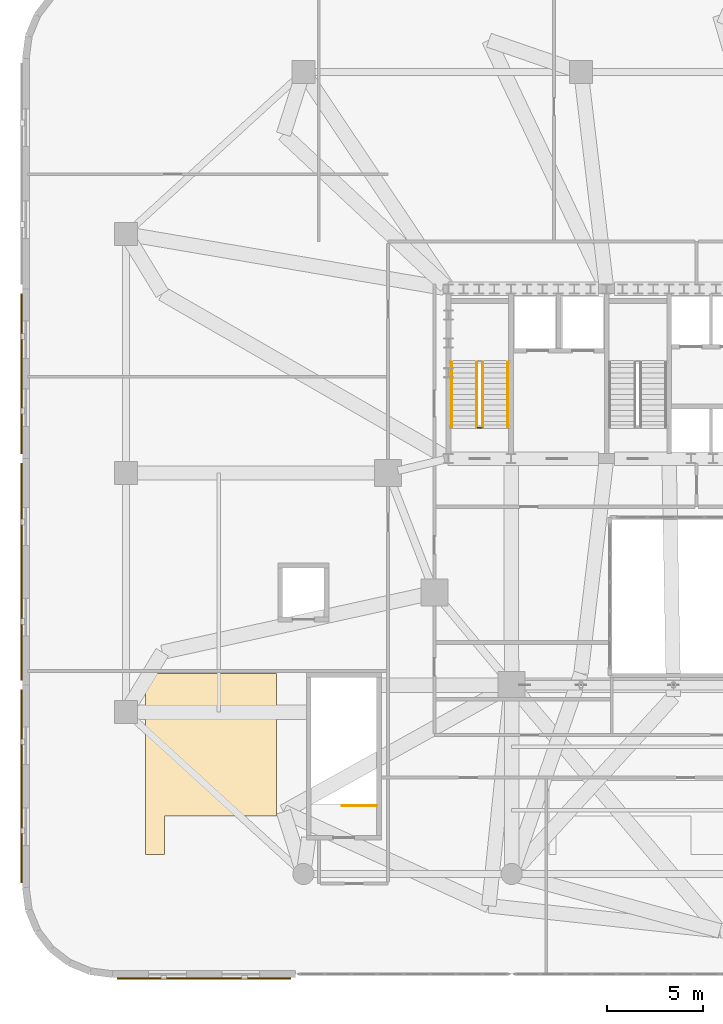
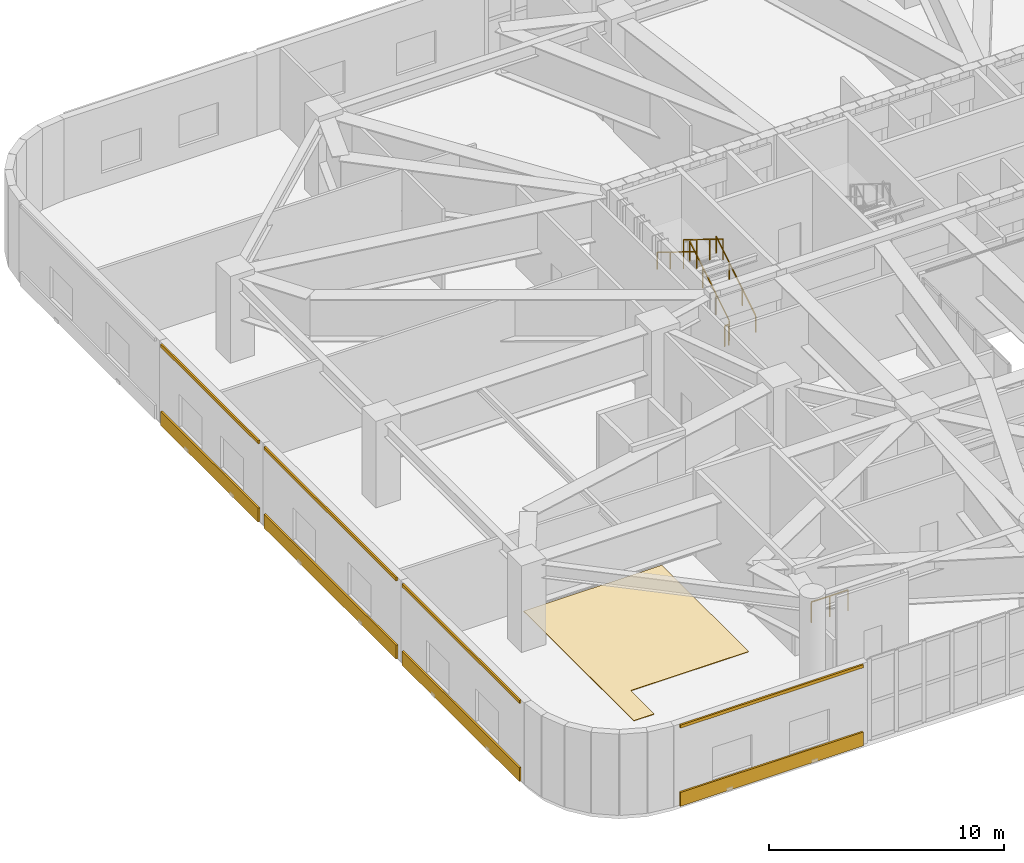
# One storey, part 20 of 26: 9 coverings, 6 railings.
"""IFC4 building model written with IfcOpenShell, lengths in metres."""

from ifc_helpers import new_model, si_unit, direction, frame, origin, origin_2d, place, context, subcontext, project, spatial, polyline, rectangle, outline, extrude, material, layer, layer_set, type_object, element, save


model = new_model("IFC4")

# Units and contexts
model_context = context("Model", 3, precision=1e-05, world=origin(), true_north=direction((0.0, 1.0)))
body_context = subcontext(model_context, "Body", "Model", "MODEL_VIEW")
ifc_project = project(units=[si_unit("LENGTHUNIT", "METRE"), si_unit("AREAUNIT", "SQUARE_METRE"), si_unit("VOLUMEUNIT", "CUBIC_METRE"), si_unit("PLANEANGLEUNIT", "RADIAN"), si_unit("MASSUNIT", "GRAM", prefix="KILO")], contexts=[model_context])

# Site, building, storey
site_placement = place(None, origin())
site = spatial("IfcSite", under=ifc_project, at=site_placement, CompositionType="ELEMENT")
building_placement = place(site_placement, origin())
building = spatial("IfcBuilding", under=site, at=building_placement, Name="Haldorwick Loom Tower", CompositionType="ELEMENT")
storey_placement = place(building_placement, frame((0.0, 0.0, 19.5)))
storey = spatial("IfcBuildingStorey", under=building, at=storey_placement, Name="L04", CompositionType="ELEMENT", Elevation=19.5)

# Coverings
ifc_material_1 = material(Name="Corbelled Pressed Clay Face Brick Veneer", Category="masonry")
ifc_layer_1 = layer(ifc_material_1, 0.090087890625, Name="Corbelled Pressed Clay Face Brick Veneer", Category="masonry")
ifc_layer_set_1 = layer_set([ifc_layer_1], Name="Corbelled Pressed Clay Face Brick Veneer")
covering_type_1 = type_object("IfcCoveringType", Name="ARC-COV-BRICK090", PredefinedType="CLADDING", material=ifc_layer_set_1)
covering_1_placement = place(storey_placement, origin())
element("IfcCovering", 1, at=covering_1_placement, inside=storey, type_object=covering_type_1, Name="L04 Sill Face-Brick Spandrel 29", PredefinedType="CLADDING", context=body_context, shape_type="SweptSolid", body=[
    extrude(outline(polyline([(-0.27001953125, 35.300048828125), (-0.27001953125, 27.0), (-0.179931640625, 27.0), (-0.179931640625, 35.300048828125), (-0.27001953125, 35.300048828125)])), origin(), (0.0, 0.0, 1.0), 0.719970703125),
])
covering_2_placement = place(storey_placement, frame((0.0, 0.0, 4.06005859375)))
element("IfcCovering", 2, at=covering_2_placement, inside=storey, type_object=covering_type_1, Name="L04 Head Face-Brick Lintel Band 29", PredefinedType="CLADDING", context=body_context, shape_type="SweptSolid", body=[
    extrude(outline(polyline([(-0.27001953125, 35.300048828125), (-0.27001953125, 27.0), (-0.179931640625, 27.0), (-0.179931640625, 35.300048828125), (-0.27001953125, 35.300048828125)])), origin(), (0.0, 0.0, 1.0), 0.159912109375),
])
covering_3_placement = place(storey_placement, origin())
element("IfcCovering", 3, at=covering_3_placement, inside=storey, type_object=covering_type_1, Name="L04 Sill Face-Brick Spandrel 30", PredefinedType="CLADDING", context=body_context, shape_type="SweptSolid", body=[
    extrude(outline(polyline([(-0.27001953125, 26.5), (-0.27001953125, 15.25), (-0.179931640625, 15.25), (-0.179931640625, 26.5), (-0.27001953125, 26.5)])), origin(), (0.0, 0.0, 1.0), 0.719970703125),
])
covering_4_placement = place(storey_placement, frame((0.0, 0.0, 4.06005859375)))
element("IfcCovering", 4, at=covering_4_placement, inside=storey, type_object=covering_type_1, Name="L04 Head Face-Brick Lintel Band 30", PredefinedType="CLADDING", context=body_context, shape_type="SweptSolid", body=[
    extrude(outline(polyline([(-0.27001953125, 26.5), (-0.27001953125, 15.25), (-0.179931640625, 15.25), (-0.179931640625, 26.5), (-0.27001953125, 26.5)])), origin(), (0.0, 0.0, 1.0), 0.159912109375),
])
covering_5_placement = place(storey_placement, origin())
element("IfcCovering", 5, at=covering_5_placement, inside=storey, type_object=covering_type_1, Name="L04 Sill Face-Brick Spandrel 31", PredefinedType="CLADDING", context=body_context, shape_type="SweptSolid", body=[
    extrude(outline(polyline([(-0.27001953125, 14.75), (-0.27001953125, 4.75), (-0.179931640625, 4.75), (-0.179931640625, 14.75), (-0.27001953125, 14.75)])), origin(), (0.0, 0.0, 1.0), 0.719970703125),
])
covering_6_placement = place(storey_placement, frame((0.0, 0.0, 4.06005859375)))
element("IfcCovering", 6, at=covering_6_placement, inside=storey, type_object=covering_type_1, Name="L04 Head Face-Brick Lintel Band 31", PredefinedType="CLADDING", context=body_context, shape_type="SweptSolid", body=[
    extrude(outline(polyline([(-0.27001953125, 14.75), (-0.27001953125, 4.75), (-0.179931640625, 4.75), (-0.179931640625, 14.75), (-0.27001953125, 14.75)])), origin(), (0.0, 0.0, 1.0), 0.159912109375),
])
covering_7_placement = place(storey_placement, origin())
element("IfcCovering", 7, at=covering_7_placement, inside=storey, type_object=covering_type_1, Name="L04 Sill Face-Brick Spandrel 38", PredefinedType="CLADDING", context=body_context, shape_type="SweptSolid", body=[
    extrude(outline(polyline([(4.75, -0.27001953125), (13.75, -0.27001953125), (13.75, -0.179931640625), (4.75, -0.179931640625), (4.75, -0.27001953125)])), origin(), (0.0, 0.0, 1.0), 0.719970703125),
])
covering_8_placement = place(storey_placement, frame((0.0, 0.0, 4.06005859375)))
element("IfcCovering", 8, at=covering_8_placement, inside=storey, type_object=covering_type_1, Name="L04 Head Face-Brick Lintel Band 38", PredefinedType="CLADDING", context=body_context, shape_type="SweptSolid", body=[
    extrude(outline(polyline([(4.75, -0.27001953125), (13.75, -0.27001953125), (13.75, -0.179931640625), (4.75, -0.179931640625), (4.75, -0.27001953125)])), origin(), (0.0, 0.0, 1.0), 0.159912109375),
])
ifc_material_2 = material(Name="Polished Aggregate Terrazzo Finish")
ifc_layer_2 = layer(ifc_material_2, 0.030029296875, Name="Polished Aggregate Terrazzo Finish")
ifc_layer_set_2 = layer_set([ifc_layer_2], Name="Polished Aggregate Terrazzo Finish")
covering_type_2 = type_object("IfcCoveringType", Name="ARC-COV-FLOOR", PredefinedType="FLOORING", material=ifc_layer_set_2)
covering_9_placement = place(storey_placement, origin())
element("IfcCovering", 9, at=covering_9_placement, inside=storey, type_object=covering_type_2, Name="L04 Floor Finish 2", PredefinedType="FLOORING", context=body_context, shape_type="SweptSolid", body=[
    extrude(outline(polyline([(6.199951171875, 15.594970703125), (6.199951171875, 6.199951171875), (7.199951171875, 6.199951171875), (7.199951171875, 8.199951171875), (13.0, 8.199951171875), (13.0, 15.594970703125), (6.199951171875, 15.594970703125)])), origin(), (0.0, 0.0, 1.0), 0.030029296875),
])

# Railings
ifc_material_3 = material(Name="Steel CSA G40.21 350W", Category="steel")
railing_type_1 = type_object("IfcRailingType", Name="ARC-RLG-GUARD112", PredefinedType="GUARDRAIL", material=ifc_material_3)
railing_1_placement = place(storey_placement, frame((23.699951171875, 28.39990234375, 0.173095703125)))
element("IfcRailing", 10, at=railing_1_placement, inside=storey, type_object=railing_type_1, Name="L04 ST-01 stair guard 1", PredefinedType="GUARDRAIL", context=body_context, shape_type="SweptSolid", body=[
    extrude(rectangle(XDim=0.048095703125, YDim=0.048095703125, at=origin_2d()), frame((0.0, 0.0, 1.076171875), z_axis=(0.0, 0.850623216509, 0.525775754039), x_axis=(-1.0, 0.0, 0.0)), (0.0, 0.0, 1.0), 3.9501953125),
    extrude(rectangle(XDim=0.0419921875, YDim=0.0419921875, at=origin_2d()), origin(), (0.0, 0.0, 1.0), 1.052001953125),
    extrude(rectangle(XDim=0.0419921875, YDim=0.0419921875, at=origin_2d()), frame((0.0, 1.1201171875, 0.6923828125)), (0.0, 0.0, 1.0), 1.052001953125),
    extrude(rectangle(XDim=0.0419921875, YDim=0.0419921875, at=origin_2d()), frame((0.0, 2.239990234375, 1.384521484375)), (0.0, 0.0, 1.0), 1.052001953125),
    extrude(rectangle(XDim=0.0419921875, YDim=0.0419921875, at=origin_2d()), frame((0.0, 3.360107421875, 2.076904296875)), (0.0, 0.0, 1.0), 1.052001953125),
])
railing_2_placement = place(storey_placement, frame((23.39990234375, 31.760009765625, 2.423095703125)))
element("IfcRailing", 11, at=railing_2_placement, inside=storey, type_object=railing_type_1, Name="L04 ST-01 stair guard 3", PredefinedType="GUARDRAIL", context=body_context, shape_type="SweptSolid", body=[
    extrude(rectangle(XDim=0.048095703125, YDim=0.048095703125, at=origin_2d()), frame((0.0, 0.0, 1.076171875), z_axis=(0.0, -0.850623216509, 0.525775754039), x_axis=(1.0, 0.0, 0.0)), (0.0, 0.0, 1.0), 3.9501953125),
    extrude(rectangle(XDim=0.0419921875, YDim=0.0419921875, at=origin_2d()), origin(), (0.0, 0.0, 1.0), 1.052001953125),
    extrude(rectangle(XDim=0.0419921875, YDim=0.0419921875, at=origin_2d()), frame((0.0, -1.1201171875, 0.6923828125)), (0.0, 0.0, 1.0), 1.052001953125),
    extrude(rectangle(XDim=0.0419921875, YDim=0.0419921875, at=origin_2d()), frame((0.0, -2.239990234375, 1.384521484375)), (0.0, 0.0, 1.0), 1.052001953125),
    extrude(rectangle(XDim=0.0419921875, YDim=0.0419921875, at=origin_2d()), frame((0.0, -3.360107421875, 2.076904296875)), (0.0, 0.0, 1.0), 1.052001953125),
])
railing_3_placement = place(storey_placement, frame((23.64990234375, 28.35009765625, 0.0)))
element("IfcRailing", 12, at=railing_3_placement, inside=storey, type_object=railing_type_1, Name="L04 ST-01 stair guard 4", PredefinedType="GUARDRAIL", context=body_context, shape_type="SweptSolid", body=[
    extrude(rectangle(XDim=0.048095703125, YDim=0.048095703125, at=origin_2d()), frame((0.0, 0.0, 1.076171875), z_axis=(-1.0, 0.0, 0.0), x_axis=(0.0, -1.0, 0.0)), (0.0, 0.0, 1.0), 0.199951171875),
    extrude(rectangle(XDim=0.0419921875, YDim=0.0419921875, at=origin_2d()), origin(), (0.0, 0.0, 1.0), 1.052001953125),
    extrude(rectangle(XDim=0.0419921875, YDim=0.0419921875, at=origin_2d()), frame((-0.199951171875, 0.0, 0.0)), (0.0, 0.0, 1.0), 1.052001953125),
])
railing_4_placement = place(storey_placement, frame((18.199951171875, 8.75, 0.0)))
element("IfcRailing", 13, at=railing_4_placement, inside=storey, type_object=railing_type_1, Name="L04 ST-P1 top well guard 1", PredefinedType="GUARDRAIL", context=body_context, shape_type="SweptSolid", body=[
    extrude(rectangle(XDim=0.048095703125, YDim=0.048095703125, at=origin_2d()), frame((0.0, 0.0, 1.076171875), z_axis=(-1.0, 0.0, 0.0), x_axis=(0.0, -1.0, 0.0)), (0.0, 0.0, 1.0), 1.800048828125),
    extrude(rectangle(XDim=0.0419921875, YDim=0.0419921875, at=origin_2d()), origin(), (0.0, 0.0, 1.0), 1.052001953125),
    extrude(rectangle(XDim=0.0419921875, YDim=0.0419921875, at=origin_2d()), frame((-0.89990234375, 0.0, 0.0)), (0.0, 0.0, 1.0), 1.052001953125),
    extrude(rectangle(XDim=0.0419921875, YDim=0.0419921875, at=origin_2d()), frame((-1.800048828125, 0.0, 0.0)), (0.0, 0.0, 1.0), 1.052001953125),
])
railing_type_2 = type_object("IfcRailingType", Name="ARC-RLG-HAND092", PredefinedType="HANDRAIL", material=ifc_material_3)
railing_5_placement = place(storey_placement, frame((25.0, 28.39990234375, 0.173095703125)))
element("IfcRailing", 14, at=railing_5_placement, inside=storey, type_object=railing_type_2, Name="L04 ST-01 stair handrail 1", PredefinedType="HANDRAIL", context=body_context, shape_type="SweptSolid", body=[
    extrude(rectangle(XDim=0.048095703125, YDim=0.048095703125, at=origin_2d()), frame((0.0, 0.0, 0.8759765625), z_axis=(0.0, 0.850623216509, 0.525775754039), x_axis=(-1.0, 0.0, 0.0)), (0.0, 0.0, 1.0), 3.9501953125),
    extrude(rectangle(XDim=0.0419921875, YDim=0.0419921875, at=origin_2d()), origin(), (0.0, 0.0, 1.0), 0.851806640625),
    extrude(rectangle(XDim=0.0419921875, YDim=0.0419921875, at=origin_2d()), frame((0.0, 1.1201171875, 0.6923828125)), (0.0, 0.0, 1.0), 0.851806640625),
    extrude(rectangle(XDim=0.0419921875, YDim=0.0419921875, at=origin_2d()), frame((0.0, 2.239990234375, 1.384521484375)), (0.0, 0.0, 1.0), 0.851806640625),
    extrude(rectangle(XDim=0.0419921875, YDim=0.0419921875, at=origin_2d()), frame((0.0, 3.360107421875, 2.076904296875)), (0.0, 0.0, 1.0), 0.851806640625),
])
railing_6_placement = place(storey_placement, frame((22.10009765625, 31.760009765625, 2.423095703125)))
element("IfcRailing", 15, at=railing_6_placement, inside=storey, type_object=railing_type_2, Name="L04 ST-01 stair handrail 2", PredefinedType="HANDRAIL", context=body_context, shape_type="SweptSolid", body=[
    extrude(rectangle(XDim=0.048095703125, YDim=0.048095703125, at=origin_2d()), frame((0.0, 0.0, 0.8759765625), z_axis=(0.0, -0.850623216509, 0.525775754039), x_axis=(1.0, 0.0, 0.0)), (0.0, 0.0, 1.0), 3.9501953125),
    extrude(rectangle(XDim=0.0419921875, YDim=0.0419921875, at=origin_2d()), origin(), (0.0, 0.0, 1.0), 0.851806640625),
    extrude(rectangle(XDim=0.0419921875, YDim=0.0419921875, at=origin_2d()), frame((0.0, -1.1201171875, 0.6923828125)), (0.0, 0.0, 1.0), 0.851806640625),
    extrude(rectangle(XDim=0.0419921875, YDim=0.0419921875, at=origin_2d()), frame((0.0, -2.239990234375, 1.384521484375)), (0.0, 0.0, 1.0), 0.851806640625),
    extrude(rectangle(XDim=0.0419921875, YDim=0.0419921875, at=origin_2d()), frame((0.0, -3.360107421875, 2.076904296875)), (0.0, 0.0, 1.0), 0.851806640625),
])

save(model, "model.ifc")
